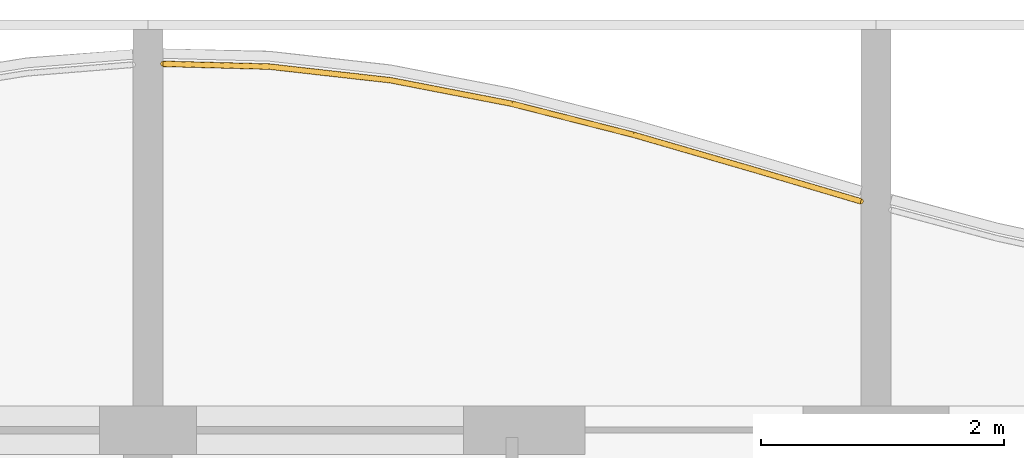
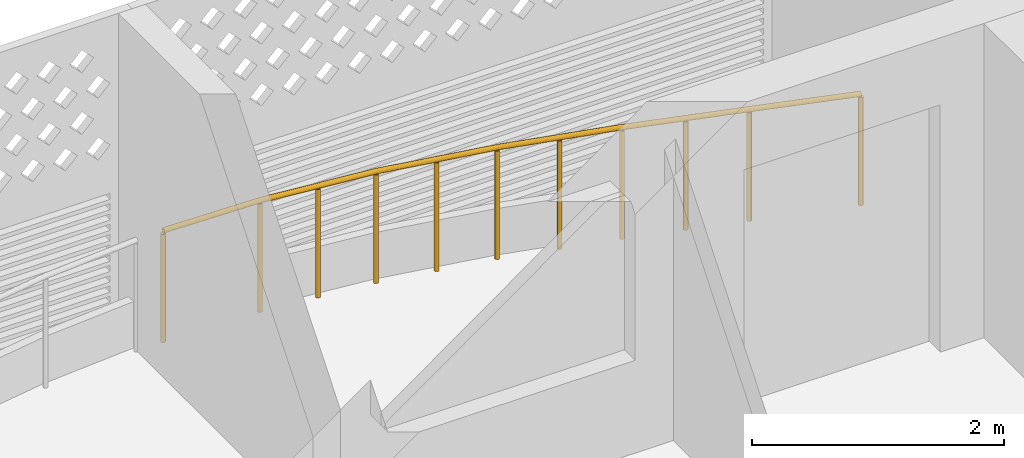
# One storey, part 28 of 44: 1 railing.
"""IFC4 building model written with IfcOpenShell, lengths in metres."""

from ifc_helpers import new_model, si_unit, direction, frame, origin, origin_2d, place, context, subcontext, project, spatial, circle, extrude, material, type_object, element, save


model = new_model("IFC4")

# Units and contexts
model_context = context("Model", 3, precision=1e-05, world=origin(), true_north=direction((0.0, 1.0)))
body_context = subcontext(model_context, "Body", "Model", "MODEL_VIEW")
ifc_project = project(units=[si_unit("LENGTHUNIT", "METRE"), si_unit("AREAUNIT", "SQUARE_METRE"), si_unit("VOLUMEUNIT", "CUBIC_METRE"), si_unit("PLANEANGLEUNIT", "RADIAN"), si_unit("MASSUNIT", "GRAM", prefix="KILO")], contexts=[model_context])

# Site, building, storey
site_placement = place(None, origin())
site = spatial("IfcSite", under=ifc_project, at=site_placement, CompositionType="ELEMENT")
building_placement = place(site_placement, origin())
building = spatial("IfcBuilding", under=site, at=building_placement, Name="Poui Terraces", CompositionType="ELEMENT")
storey_placement = place(building_placement, frame((0.0, 0.0, 30.0)))
storey = spatial("IfcBuildingStorey", under=building, at=storey_placement, Name="L07", CompositionType="ELEMENT", Elevation=30.0)

# Railing
ifc_material = material(Name="Painted steel fretwork", Category="steel")
railing_type = type_object("IfcRailingType", Name="BALCONY GUARD 1100", PredefinedType="GUARDRAIL", material=ifc_material)
railing_placement = place(storey_placement, frame((36.125, 47.818603515625, 0.0)))
element("IfcRailing", 1, at=railing_placement, inside=storey, type_object=railing_type, Name="BALCONY GUARD", PredefinedType="GUARDRAIL", context=body_context, shape_type="SweptSolid", body=[
    extrude(circle(Radius=0.02392578125, at=origin_2d()), frame((0.0, 0.0, 1.076171875), z_axis=(0.999663503425, -0.025939929079, 0.0), x_axis=(0.025939929079, 0.999663503425, 0.0)), (0.0, 0.0, 1.0), 0.875244140625),
    extrude(circle(Radius=0.02392578125, at=origin_2d()), frame((0.875, -0.022705078125, 1.076171875), z_axis=(0.993725924527, -0.111842688283, 0.0), x_axis=(0.111842688283, 0.993725924527, 0.0)), (0.0, 0.0, 1.0), 1.00634765625),
    extrude(circle(Radius=0.02392578125, at=origin_2d()), frame((1.875, -0.13525390625, 1.076171875), z_axis=(0.981724998512, -0.190305090044, 0.0), x_axis=(0.190305090044, 0.981724998512, 0.0)), (0.0, 0.0, 1.0), 1.0185546875),
    extrude(circle(Radius=0.02392578125, at=origin_2d()), frame((2.875, -0.3291015625, 1.076171875), z_axis=(0.969018976325, -0.246986282052, 0.0), x_axis=(0.246986282052, 0.969018976325, 0.0)), (0.0, 0.0, 1.0), 1.031982421875),
    extrude(circle(Radius=0.02392578125, at=origin_2d()), frame((3.875, -0.583984375, 1.076171875), z_axis=(0.960419102414, -0.278559056071, 0.0), x_axis=(0.278559056071, 0.960419102414, 0.0)), (0.0, 0.0, 1.0), 1.041259765625),
    extrude(circle(Radius=0.02392578125, at=origin_2d()), frame((4.875, -0.8740234375, 1.076171875), z_axis=(0.958938355514, -0.283614580593, 0.0), x_axis=(0.283614580593, 0.958938355514, 0.0)), (0.0, 0.0, 1.0), 0.912353515625),
    extrude(circle(Radius=0.02099609375, at=origin_2d()), origin(), (0.0, 0.0, 1.0), 1.052001953125),
    extrude(circle(Radius=0.02099609375, at=origin_2d()), frame((0.875, -0.022705078125, 0.0)), (0.0, 0.0, 1.0), 1.052001953125),
    extrude(circle(Radius=0.02099609375, at=origin_2d()), frame((1.375, -0.0791015625, 0.0)), (0.0, 0.0, 1.0), 1.052001953125),
    extrude(circle(Radius=0.02099609375, at=origin_2d()), frame((1.875, -0.13525390625, 0.0)), (0.0, 0.0, 1.0), 1.052001953125),
    extrude(circle(Radius=0.02099609375, at=origin_2d()), frame((2.375, -0.232177734375, 0.0)), (0.0, 0.0, 1.0), 1.052001953125),
    extrude(circle(Radius=0.02099609375, at=origin_2d()), frame((2.875, -0.3291015625, 0.0)), (0.0, 0.0, 1.0), 1.052001953125),
    extrude(circle(Radius=0.02099609375, at=origin_2d()), frame((3.375, -0.45654296875, 0.0)), (0.0, 0.0, 1.0), 1.052001953125),
    extrude(circle(Radius=0.02099609375, at=origin_2d()), frame((3.875, -0.583984375, 0.0)), (0.0, 0.0, 1.0), 1.052001953125),
    extrude(circle(Radius=0.02099609375, at=origin_2d()), frame((4.375, -0.72900390625, 0.0)), (0.0, 0.0, 1.0), 1.052001953125),
    extrude(circle(Radius=0.02099609375, at=origin_2d()), frame((4.875, -0.8740234375, 0.0)), (0.0, 0.0, 1.0), 1.052001953125),
    extrude(circle(Radius=0.02099609375, at=origin_2d()), frame((5.75, -1.1328125, 0.0)), (0.0, 0.0, 1.0), 1.052001953125),
])

save(model, "model.ifc")
